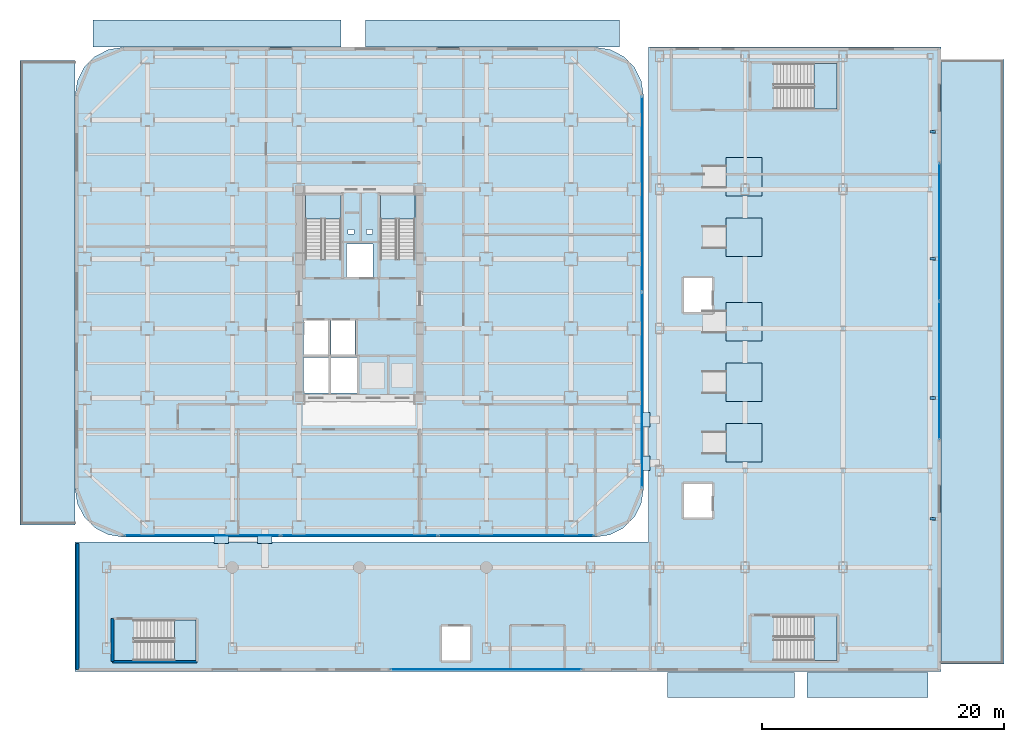
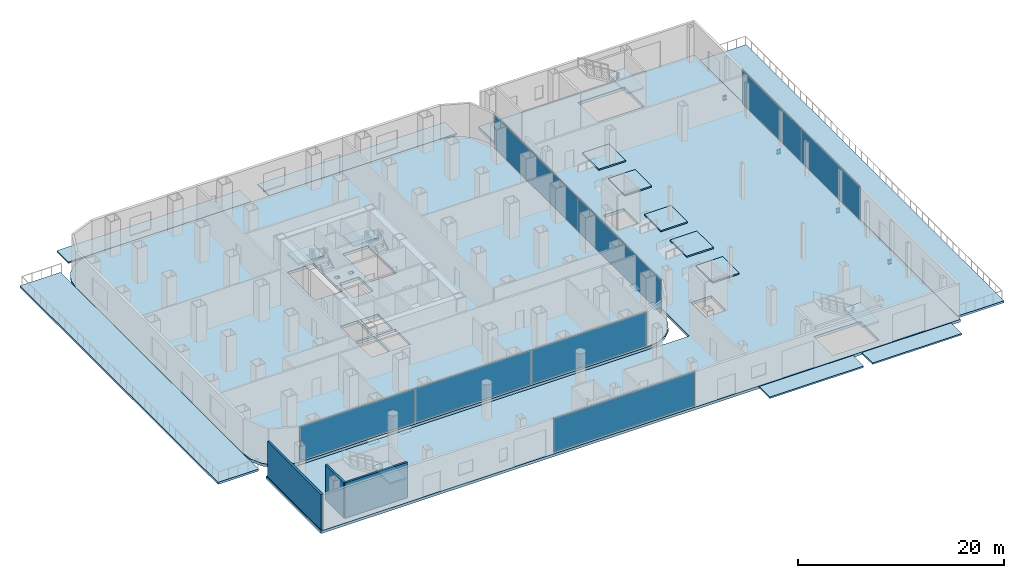
# One storey, part 19 of 31: 18 slabs, 12 plates, 4 beams, 3 walls, 9 elements without a shape of their own.
"""IFC4 building model written with IfcOpenShell, lengths in metres."""

from ifc_helpers import new_model, si_unit, direction, frame, frame_2d, origin, origin_2d, place, context, subcontext, project, spatial, polyline, rectangle, i_section, outline, extrude, source, transform, mapped, material, layer, layer_set, material_profile, profile_set, type_object, element, aggregate, save


model = new_model("IFC4")

# Units and contexts
model_context = context("Model", 3, precision=1e-05, world=origin(), true_north=direction((0.0, 1.0)))
body_context = subcontext(model_context, "Body", "Model", "MODEL_VIEW")
ifc_project = project(units=[si_unit("LENGTHUNIT", "METRE"), si_unit("AREAUNIT", "SQUARE_METRE"), si_unit("VOLUMEUNIT", "CUBIC_METRE"), si_unit("PLANEANGLEUNIT", "RADIAN"), si_unit("MASSUNIT", "GRAM", prefix="KILO")], contexts=[model_context])

# Site, building, storey
site_placement = place(None, origin())
site = spatial("IfcSite", under=ifc_project, at=site_placement, CompositionType="ELEMENT")
building_placement = place(site_placement, origin())
building = spatial("IfcBuilding", under=site, at=building_placement, Name="Kolveth Station Tower", CompositionType="ELEMENT")
storey_placement = place(building_placement, origin())
storey = spatial("IfcBuildingStorey", under=building, at=storey_placement, Name="L00", CompositionType="ELEMENT", Elevation=0.0)

# Beams
ifc_material_1 = material(Name="Steel S355", Category="steel")
ifc_material_profile = material_profile(ifc_material_1, i_section(OverallWidth=0.2099609375, OverallDepth=0.537109375, WebThickness=0.010986328125, FlangeThickness=0.017333984375, at=origin_2d()), Name="W530x101")
ifc_profile_set = profile_set([ifc_material_profile], Name="Steel S355")
beam_type = type_object("IfcBeamType", Name="Beam_B6", PredefinedType="BEAM", material=ifc_profile_set)
shared_shape_1 = source(origin(), body_context, "Body", "SweptSolid", [
    extrude(i_section(OverallWidth=0.2099609375, OverallDepth=0.537109375, WebThickness=0.010986328125, FlangeThickness=0.017333984375, at=origin_2d()), origin(), (0.0, 0.0, 1.0), 0.449951171875),
])
for number, where, z_axis, x_axis, name in (
    (1, (70.699951171875, 1.5, -0.58837890625), (1.0, 0.0, 0.0), (0.0, 1.0, 0.0), "L00 Pilaster Tie Beam SBM-L00-SPL-1"),
    (2, (70.699951171875, 11.5, -0.58837890625), (1.0, 0.0, 0.0), (0.0, 1.0, 0.0), "L00 Pilaster Tie Beam SBM-L00-SPL-2"),
    (3, (70.699951171875, 23.0, -0.58837890625), (1.0, 0.0, 0.0), (0.0, 1.0, 0.0), "L00 Pilaster Tie Beam SBM-L00-SPL-3"),
    (4, (70.699951171875, 33.5, -0.58837890625), (1.0, 0.0, 0.0), (0.0, 1.0, 0.0), "L00 Pilaster Tie Beam SBM-L00-SPL-4"),
):
    element("IfcBeam", number, at=place(storey_placement, frame(where, z_axis=z_axis, x_axis=x_axis)), inside=storey, type_object=beam_type, Name=name, PredefinedType="BEAM", context=body_context, shape_type="MappedRepresentation", body=[
        mapped(shared_shape_1, transform((0.0, 0.0, 0.0), x_axis=(1.0, 0.0, 0.0), y_axis=(0.0, 1.0, 0.0), z_axis=(0.0, 0.0, 1.0), scale=1.0)),
    ])

# Slabs
ifc_material_2 = material(Name="Granite paving", Category="masonry")
ifc_layer_1 = layer(ifc_material_2, 0.179931640625)
ifc_layer_set_1 = layer_set([ifc_layer_1], Name="Granite paving")
slab_type_1 = type_object("IfcSlabType", Name="Slab_PV-180", PredefinedType="USERDEFINED", material=ifc_layer_set_1)
slab_1_placement = place(storey_placement, frame((0.0, 0.0, -0.179931640625)))
element("IfcSlab", 5, at=slab_1_placement, inside=storey, type_object=slab_type_1, Name="L00 Granite Concourse Apron Paving 1", ObjectType="PAVING", PredefinedType="USERDEFINED", context=body_context, shape_type="SweptSolid", body=[
    extrude(outline(polyline([(1.5, 40.510009765625), (22.0, 40.510009765625), (22.0, 42.75), (1.5, 42.75), (1.5, 40.510009765625)])), origin(), (0.0, 0.0, 1.0), 0.179931640625),
])
slab_2_placement = place(storey_placement, frame((0.0, 0.0, -0.179931640625)))
element("IfcSlab", 6, at=slab_2_placement, inside=storey, type_object=slab_type_1, Name="L00 Granite Concourse Apron Paving 2", ObjectType="PAVING", PredefinedType="USERDEFINED", context=body_context, shape_type="SweptSolid", body=[
    extrude(outline(polyline([(24.0, 40.510009765625), (45.0, 40.510009765625), (45.0, 42.75), (24.0, 42.75), (24.0, 40.510009765625)])), origin(), (0.0, 0.0, 1.0), 0.179931640625),
])
slab_3_placement = place(storey_placement, frame((0.0, 0.0, -0.179931640625)))
element("IfcSlab", 7, at=slab_3_placement, inside=storey, type_object=slab_type_1, Name="L00 Granite Concourse Apron Paving 3", ObjectType="PAVING", PredefinedType="USERDEFINED", context=body_context, shape_type="SweptSolid", body=[
    extrude(outline(polyline([(49.0, -13.25), (59.5, -13.25), (59.5, -11.179931640625), (49.0, -11.179931640625), (49.0, -13.25)])), origin(), (0.0, 0.0, 1.0), 0.179931640625),
])
slab_4_placement = place(storey_placement, frame((0.0, 0.0, -0.179931640625)))
element("IfcSlab", 8, at=slab_4_placement, inside=storey, type_object=slab_type_1, Name="L00 Granite Concourse Apron Paving 4", ObjectType="PAVING", PredefinedType="USERDEFINED", context=body_context, shape_type="SweptSolid", body=[
    extrude(outline(polyline([(60.5, -13.25), (70.5, -13.25), (70.5, -11.179931640625), (60.5, -11.179931640625), (60.5, -13.25)])), origin(), (0.0, 0.0, 1.0), 0.179931640625),
])
ifc_material_3 = material(Name="Concrete C50/60", Category="concrete")
ifc_layer_2 = layer(ifc_material_3, 0.320068359375)
ifc_layer_set_2 = layer_set([ifc_layer_2], Name="Concrete C50/60")
slab_type_2 = type_object("IfcSlabType", Name="Slab_SF-320", PredefinedType="FLOOR", material=ifc_layer_set_2)
slab_5_placement = place(storey_placement, frame((0.0, 0.0, -0.320068359375)))
element("IfcSlab", 9, at=slab_5_placement, inside=storey, type_object=slab_type_2, Name="L00 Tower Structural Floor Slab", PredefinedType="FLOOR", context=body_context, shape_type="SweptSolid", body=[
    extrude(outline(polyline([(43.0, 0.0), (44.236083984375, 0.19580078125), (45.35107421875, 0.763916015625), (46.236083984375, 1.64892578125), (46.80419921875, 2.763916015625), (47.0, 4.0), (47.0, 36.5), (46.80419921875, 37.736083984375), (46.236083984375, 38.85107421875), (45.35107421875, 39.736083984375), (44.236083984375, 40.30419921875), (43.0, 40.5), (4.0, 40.5), (2.763916015625, 40.30419921875), (1.64892578125, 39.736083984375), (0.763916015625, 38.85107421875), (0.19580078125, 37.736083984375), (0.0, 36.5), (0.0, 4.0), (0.19580078125, 2.763916015625), (0.763916015625, 1.64892578125), (1.64892578125, 0.763916015625), (2.763916015625, 0.19580078125), (4.0, 0.0), (43.0, 0.0)]), holes=[polyline([(19.0400390625, 22.985107421875), (22.0, 22.985107421875), (22.0, 28.39990234375), (19.0400390625, 28.39990234375), (19.0400390625, 22.985107421875)]), polyline([(25.239990234375, 22.985107421875), (28.10009765625, 22.985107421875), (28.10009765625, 28.39990234375), (25.239990234375, 28.39990234375), (25.239990234375, 22.985107421875)]), polyline([(18.89990234375, 15.10009765625), (20.89990234375, 15.10009765625), (20.89990234375, 17.89990234375), (18.89990234375, 17.89990234375), (18.89990234375, 15.10009765625)]), polyline([(21.14990234375, 15.10009765625), (23.14990234375, 15.10009765625), (23.14990234375, 17.89990234375), (21.14990234375, 17.89990234375), (21.14990234375, 15.10009765625)]), polyline([(22.449951171875, 21.5), (24.64990234375, 21.5), (24.64990234375, 24.25), (22.449951171875, 24.25), (22.449951171875, 21.5)]), polyline([(18.89990234375, 11.89990234375), (20.949951171875, 11.89990234375), (20.949951171875, 14.85009765625), (18.89990234375, 14.85009765625), (18.89990234375, 11.89990234375)]), polyline([(21.14990234375, 11.89990234375), (23.300048828125, 11.89990234375), (23.300048828125, 14.85009765625), (21.14990234375, 14.85009765625), (21.14990234375, 11.89990234375)]), polyline([(22.550048828125, 25.050048828125), (23.050048828125, 25.050048828125), (23.050048828125, 25.449951171875), (22.550048828125, 25.449951171875), (22.550048828125, 25.050048828125)]), polyline([(24.10009765625, 25.050048828125), (24.60009765625, 25.050048828125), (24.60009765625, 25.449951171875), (24.10009765625, 25.449951171875), (24.10009765625, 25.050048828125)])]), origin(), (0.0, 0.0, 1.0), 0.320068359375),
])
slab_6_placement = place(storey_placement, frame((0.0, 0.0, -0.320068359375)))
element("IfcSlab", 10, at=slab_6_placement, inside=storey, type_object=slab_type_2, Name="L00 Intermodal Station Floor Slab", PredefinedType="FLOOR", context=body_context, shape_type="SweptSolid", body=[
    extrude(outline(polyline([(0.0, -11.10009765625), (71.60009765625, -11.10009765625), (71.60009765625, 40.5), (47.39990234375, 40.5), (47.39990234375, -0.39990234375), (0.0, -0.39990234375), (0.0, -11.10009765625)]), holes=[polyline([(57.784912109375, 35.39990234375), (63.0, 35.39990234375), (63.0, 39.159912109375), (57.784912109375, 39.159912109375), (57.784912109375, 35.39990234375)]), polyline([(57.784912109375, -10.199951171875), (63.0, -10.199951171875), (63.0, -6.5400390625), (57.784912109375, -6.5400390625), (57.784912109375, -10.199951171875)]), polyline([(4.885009765625, -10.199951171875), (10.0, -10.199951171875), (10.0, -6.840087890625), (4.885009765625, -6.840087890625), (4.885009765625, -10.199951171875)]), polyline([(50.35009765625, 1.60009765625), (52.64990234375, 1.60009765625), (52.64990234375, 4.39990234375), (50.35009765625, 4.39990234375), (50.35009765625, 1.60009765625)]), polyline([(50.35009765625, 18.60009765625), (52.64990234375, 18.60009765625), (52.64990234375, 21.39990234375), (50.35009765625, 21.39990234375), (50.35009765625, 18.60009765625)]), polyline([(30.35009765625, -10.199951171875), (32.64990234375, -10.199951171875), (32.64990234375, -7.39990234375), (30.35009765625, -7.39990234375), (30.35009765625, -10.199951171875)])]), origin(), (0.0, 0.0, 1.0), 0.320068359375),
])

# Stair, slab
ifc_material_4 = material(Name="Concrete C40/50", Category="concrete")
stair_type_1 = type_object("IfcStairType", Name="Stair_ST2", PredefinedType="HALF_TURN_STAIR", material=ifc_material_4)
stair_1_placement = place(storey_placement, origin())
stair_1 = element("IfcStair", 11, at=stair_1_placement, inside=storey, type_object=stair_type_1, Name="L00 Tower Exit Stair ST2", PredefinedType="HALF_TURN_STAIR")
ifc_layer_3 = layer(ifc_material_4, 0.18994140625)
ifc_layer_set_3 = layer_set([ifc_layer_3], Name="Concrete C40/50")
slab_type_3 = type_object("IfcSlabType", Name="Slab_SL-190", PredefinedType="LANDING", material=ifc_layer_set_3)
slab_7_placement = place(storey_placement, frame((0.0, 0.0, 2.050048828125)))
slab_7 = element("IfcSlab", 12, at=slab_7_placement, type_object=slab_type_3, Name="ST2 landing 1", PredefinedType="LANDING", context=body_context, shape_type="SweptSolid", body=[
    extrude(outline(polyline([(28.10009765625, 26.31005859375), (28.10009765625, 28.39990234375), (25.239990234375, 28.39990234375), (25.239990234375, 26.31005859375), (28.10009765625, 26.31005859375)])), origin(), (0.0, 0.0, 1.0), 0.199951171875),
])
aggregate(stair_1, [slab_7])

stair_type_2 = type_object("IfcStairType", Name="Stair_ST5", PredefinedType="HALF_TURN_STAIR", material=ifc_material_4)
stair_2_placement = place(storey_placement, origin())
stair_2 = element("IfcStair", 13, at=stair_2_placement, inside=storey, type_object=stair_type_2, Name="L00 Station West Concourse Stair ST5", PredefinedType="HALF_TURN_STAIR")
slab_8_placement = place(storey_placement, frame((0.0, 0.0, 2.050048828125)))
slab_8 = element("IfcSlab", 14, at=slab_8_placement, type_object=slab_type_3, Name="ST5 landing 1", PredefinedType="LANDING", context=body_context, shape_type="SweptSolid", body=[
    extrude(outline(polyline([(8.2099609375, -10.199951171875), (10.0, -10.199951171875), (10.0, -6.840087890625), (8.2099609375, -6.840087890625), (8.2099609375, -10.199951171875)])), origin(), (0.0, 0.0, 1.0), 0.199951171875),
])
aggregate(stair_2, [slab_8])

stair_type_3 = type_object("IfcStairType", Name="Stair_ST1", PredefinedType="HALF_TURN_STAIR", material=ifc_material_4)
stair_3_placement = place(storey_placement, origin())
stair_3 = element("IfcStair", 15, at=stair_3_placement, inside=storey, type_object=stair_type_3, Name="L00 Tower Exit Stair ST1", PredefinedType="HALF_TURN_STAIR")
ifc_layer_4 = layer(ifc_material_4, 0.205078125)
ifc_layer_set_4 = layer_set([ifc_layer_4], Name="Concrete C40/50")
slab_type_4 = type_object("IfcSlabType", Name="Slab_SL-205", PredefinedType="LANDING", material=ifc_layer_set_4)
slab_9_placement = place(storey_placement, frame((0.0, 0.0, 2.050048828125)))
slab_9 = element("IfcSlab", 16, at=slab_9_placement, type_object=slab_type_4, Name="ST1 landing 1", PredefinedType="LANDING", context=body_context, shape_type="SweptSolid", body=[
    extrude(outline(polyline([(22.0, 26.31005859375), (22.0, 28.39990234375), (19.0400390625, 28.39990234375), (19.0400390625, 26.31005859375), (22.0, 26.31005859375)])), origin(), (0.0, 0.0, 1.0), 0.199951171875),
])
aggregate(stair_3, [slab_9])

stair_type_4 = type_object("IfcStairType", Name="Stair_ST3", PredefinedType="HALF_TURN_STAIR", material=ifc_material_4)
stair_4_placement = place(storey_placement, origin())
stair_4 = element("IfcStair", 17, at=stair_4_placement, inside=storey, type_object=stair_type_4, Name="L00 Station North Exit Stair ST3", PredefinedType="HALF_TURN_STAIR")
slab_10_placement = place(storey_placement, frame((0.0, 0.0, 2.050048828125)))
slab_10 = element("IfcSlab", 18, at=slab_10_placement, type_object=slab_type_4, Name="ST3 landing 1", PredefinedType="LANDING", context=body_context, shape_type="SweptSolid", body=[
    extrude(outline(polyline([(61.110107421875, 35.39990234375), (63.0, 35.39990234375), (63.0, 39.159912109375), (61.110107421875, 39.159912109375), (61.110107421875, 35.39990234375)])), origin(), (0.0, 0.0, 1.0), 0.199951171875),
])
aggregate(stair_4, [slab_10])

stair_type_5 = type_object("IfcStairType", Name="Stair_ST4", PredefinedType="HALF_TURN_STAIR", material=ifc_material_4)
stair_5_placement = place(storey_placement, origin())
stair_5 = element("IfcStair", 19, at=stair_5_placement, inside=storey, type_object=stair_type_5, Name="L00 Station South-East Exit Stair ST4", PredefinedType="HALF_TURN_STAIR")
slab_11_placement = place(storey_placement, frame((0.0, 0.0, 2.050048828125)))
slab_11 = element("IfcSlab", 20, at=slab_11_placement, type_object=slab_type_4, Name="ST4 landing 1", PredefinedType="LANDING", context=body_context, shape_type="SweptSolid", body=[
    extrude(outline(polyline([(61.110107421875, -10.199951171875), (63.0, -10.199951171875), (63.0, -6.5400390625), (61.110107421875, -6.5400390625), (61.110107421875, -10.199951171875)])), origin(), (0.0, 0.0, 1.0), 0.199951171875),
])
aggregate(stair_5, [slab_11])

# Slabs
ifc_layer_5 = layer(ifc_material_4, 0.239990234375)
ifc_layer_set_5 = layer_set([ifc_layer_5], Name="Concrete C40/50")
slab_type_5 = type_object("IfcSlabType", Name="Slab_ST-240", PredefinedType="FLOOR", material=ifc_layer_set_5)
slab_12_placement = place(storey_placement, frame((0.0, 0.0, -0.239990234375)))
element("IfcSlab", 21, at=slab_12_placement, inside=storey, type_object=slab_type_5, Name="L00 West Tower Drop-Off Forecourt Terrace", PredefinedType="FLOOR", context=body_context, shape_type="SweptSolid", body=[
    extrude(outline(polyline([(-4.550048828125, 1.0), (-0.010009765625, 1.0), (-0.010009765625, 39.39990234375), (-4.550048828125, 39.39990234375), (-4.550048828125, 1.0)])), origin(), (0.0, 0.0, 1.0), 0.239990234375),
])
slab_13_placement = place(storey_placement, frame((0.0, 0.0, -0.239990234375)))
element("IfcSlab", 22, at=slab_13_placement, inside=storey, type_object=slab_type_5, Name="L00 East Station Boulevard Forecourt Terrace", PredefinedType="FLOOR", context=body_context, shape_type="SweptSolid", body=[
    extrude(outline(polyline([(71.610107421875, -10.5), (76.800048828125, -10.5), (76.800048828125, 39.5), (71.610107421875, 39.5), (71.610107421875, -10.5)])), origin(), (0.0, 0.0, 1.0), 0.239990234375),
])
slab_14_placement = place(storey_placement, origin())
element("IfcSlab", 23, at=slab_14_placement, inside=storey, type_object=slab_type_5, Name="L00 Station Ticketing Dais Platform 1", PredefinedType="FLOOR", context=body_context, shape_type="SweptSolid", body=[
    extrude(outline(polyline([(53.800048828125, 6.199951171875), (56.800048828125, 6.199951171875), (56.800048828125, 9.39990234375), (53.800048828125, 9.39990234375), (53.800048828125, 6.199951171875)])), origin(), (0.0, 0.0, 1.0), 0.159912109375),
])
slab_15_placement = place(storey_placement, origin())
element("IfcSlab", 24, at=slab_15_placement, inside=storey, type_object=slab_type_5, Name="L00 Station Ticketing Dais Platform 2", PredefinedType="FLOOR", context=body_context, shape_type="SweptSolid", body=[
    extrude(outline(polyline([(53.800048828125, 11.199951171875), (56.800048828125, 11.199951171875), (56.800048828125, 14.39990234375), (53.800048828125, 14.39990234375), (53.800048828125, 11.199951171875)])), origin(), (0.0, 0.0, 1.0), 0.159912109375),
])
slab_16_placement = place(storey_placement, origin())
element("IfcSlab", 25, at=slab_16_placement, inside=storey, type_object=slab_type_5, Name="L00 Station Ticketing Dais Platform 3", PredefinedType="FLOOR", context=body_context, shape_type="SweptSolid", body=[
    extrude(outline(polyline([(53.800048828125, 16.199951171875), (56.800048828125, 16.199951171875), (56.800048828125, 19.39990234375), (53.800048828125, 19.39990234375), (53.800048828125, 16.199951171875)])), origin(), (0.0, 0.0, 1.0), 0.159912109375),
])
slab_17_placement = place(storey_placement, origin())
element("IfcSlab", 26, at=slab_17_placement, inside=storey, type_object=slab_type_5, Name="L00 Station Ticketing Dais Platform 4", PredefinedType="FLOOR", context=body_context, shape_type="SweptSolid", body=[
    extrude(outline(polyline([(53.800048828125, 23.199951171875), (56.800048828125, 23.199951171875), (56.800048828125, 26.39990234375), (53.800048828125, 26.39990234375), (53.800048828125, 23.199951171875)])), origin(), (0.0, 0.0, 1.0), 0.159912109375),
])
slab_18_placement = place(storey_placement, origin())
element("IfcSlab", 27, at=slab_18_placement, inside=storey, type_object=slab_type_5, Name="L00 Station Ticketing Dais Platform 5", PredefinedType="FLOOR", context=body_context, shape_type="SweptSolid", body=[
    extrude(outline(polyline([(53.800048828125, 28.199951171875), (56.800048828125, 28.199951171875), (56.800048828125, 31.39990234375), (53.800048828125, 31.39990234375), (53.800048828125, 28.199951171875)])), origin(), (0.0, 0.0, 1.0), 0.159912109375),
])

# Plates
ifc_layer_6 = layer(ifc_material_1, 0.02001953125)
ifc_layer_set_6 = layer_set([ifc_layer_6], Name="Steel S355")
plate_type_1 = type_object("IfcPlateType", Name="Plate_JP1", PredefinedType="USERDEFINED", material=ifc_layer_set_6)
shared_shape_2 = source(origin(), body_context, "Body", "SweptSolid", [
    extrude(rectangle(XDim=1.199951171875, YDim=0.64990234375, at=origin_2d()), origin(), (0.0, 0.0, 1.0), 0.02001953125),
])
for number, where, z_axis, x_axis, name in (
    (28, (12.10009765625, -0.199951171875, -0.324951171875), (0.0, 0.0, 1.0), (1.0, 0.0, 0.0), "L00 Seismic Joint Flush Cover Plate 1.1"),
    (29, (15.699951171875, -0.199951171875, -0.324951171875), (0.0, 0.0, 1.0), (1.0, 0.0, 0.0), "L00 Seismic Joint Flush Cover Plate 1.2"),
    (30, (47.199951171875, 6.10009765625, -0.324951171875), (0.0, 0.0, 1.0), (0.0, 1.0, 0.0), "L00 Seismic Joint Flush Cover Plate 2.1"),
    (31, (47.199951171875, 9.699951171875, -0.324951171875), (0.0, 0.0, 1.0), (0.0, 1.0, 0.0), "L00 Seismic Joint Flush Cover Plate 2.2"),
):
    element("IfcPlate", number, at=place(storey_placement, frame(where, z_axis=z_axis, x_axis=x_axis)), inside=storey, type_object=plate_type_1, Name=name, ObjectType="BASE_PLATE", PredefinedType="USERDEFINED", context=body_context, shape_type="MappedRepresentation", body=[
        mapped(shared_shape_2, transform((0.0, 0.0, 0.0), x_axis=(1.0, 0.0, 0.0), y_axis=(0.0, 1.0, 0.0), z_axis=(0.0, 0.0, 1.0), scale=1.0)),
    ])

# Curtain wall, plates
ifc_material_5 = material(Name="Black anodized aluminium 6063-T6 and clear station glass", Category="aluminium")
ifc_layer_7 = layer(ifc_material_5, 0.239990234375)
ifc_layer_set_7 = layer_set([ifc_layer_7], Name="Black anodized aluminium 6063-T6 and clear station glass")
curtain_wall_type = type_object("IfcCurtainWallType", Name="CurtainWall_CW-ST", PredefinedType="NOTDEFINED", material=ifc_layer_set_7)
curtain_wall_1_placement = place(storey_placement, origin())
curtain_wall_1 = element("IfcCurtainWall", 32, at=curtain_wall_1_placement, inside=storey, type_object=curtain_wall_type, Name="L00 Tower Podium South Storefront Curtain Wall", PredefinedType="NOTDEFINED")
ifc_material_6 = material(Name="Architectural low-E dark glass", Category="glass")
ifc_layer_8 = layer(ifc_material_6, 0.031982421875)
ifc_layer_set_8 = layer_set([ifc_layer_8], Name="Architectural low-E dark glass")
plate_type_2 = type_object("IfcPlateType", Name="Panel_GL-ST", PredefinedType="CURTAIN_PANEL", material=ifc_layer_set_8)
shared_shape_3 = source(origin(), body_context, "Body", "SweptSolid", [
    extrude(rectangle(XDim=12.864013671875, YDim=0.031982421875, at=origin_2d()), origin(), (0.0, 0.0, 1.0), 4.00390625),
])
plate_1_placement = place(storey_placement, frame((10.52490234375, 0.139892578125, 0.088134765625), z_axis=(0.0, 0.0, 1.0), x_axis=(1.0, 0.0, 0.0)))
plate_1 = element("IfcPlate", 33, at=plate_1_placement, type_object=plate_type_2, Name="CW-ST panel 1.1", PredefinedType="CURTAIN_PANEL", context=body_context, shape_type="MappedRepresentation", body=[
    mapped(shared_shape_3, transform((0.0, 0.0, 0.0), x_axis=(1.0, 0.0, 0.0), y_axis=(0.0, 1.0, 0.0), z_axis=(0.0, 0.0, 1.0), scale=1.0)),
])
plate_2_placement = place(storey_placement, frame((36.47509765625, 0.139892578125, 0.088134765625), z_axis=(0.0, 0.0, 1.0), x_axis=(1.0, 0.0, 0.0)))
plate_2 = element("IfcPlate", 34, at=plate_2_placement, type_object=plate_type_2, Name="CW-ST panel 3.1", PredefinedType="CURTAIN_PANEL", context=body_context, shape_type="MappedRepresentation", body=[
    mapped(shared_shape_3, transform((0.0, 0.0, 0.0), x_axis=(1.0, 0.0, 0.0), y_axis=(0.0, 1.0, 0.0), z_axis=(0.0, 0.0, 1.0), scale=1.0)),
])
shared_shape_4 = source(origin(), body_context, "Body", "SweptSolid", [
    extrude(rectangle(XDim=12.9140625, YDim=0.031982421875, at=origin_2d()), origin(), (0.0, 0.0, 1.0), 4.00390625),
])
plate_3_placement = place(storey_placement, frame((23.5, 0.139892578125, 0.088134765625), z_axis=(0.0, 0.0, 1.0), x_axis=(1.0, 0.0, 0.0)))
plate_3 = element("IfcPlate", 35, at=plate_3_placement, type_object=plate_type_2, Name="CW-ST panel 2.1", PredefinedType="CURTAIN_PANEL", context=body_context, shape_type="MappedRepresentation", body=[
    mapped(shared_shape_4, transform((0.0, 0.0, 0.0), x_axis=(1.0, 0.0, 0.0), y_axis=(0.0, 1.0, 0.0), z_axis=(0.0, 0.0, 1.0), scale=1.0)),
])
aggregate(curtain_wall_1, [plate_1, plate_3, plate_2])

curtain_wall_2_placement = place(storey_placement, origin())
curtain_wall_2 = element("IfcCurtainWall", 36, at=curtain_wall_2_placement, inside=storey, type_object=curtain_wall_type, Name="L00 Tower Podium East Storefront Curtain Wall", PredefinedType="NOTDEFINED")
shared_shape_5 = source(origin(), body_context, "Body", "SweptSolid", [
    extrude(rectangle(XDim=16.114013671875, YDim=0.031982421875, at=origin_2d()), origin(), (0.0, 0.0, 1.0), 4.00390625),
])
plate_4_placement = place(storey_placement, frame((46.860107421875, 12.14990234375, 0.088134765625), z_axis=(0.0, 0.0, 1.0), x_axis=(0.0, 1.0, 0.0)))
plate_4 = element("IfcPlate", 37, at=plate_4_placement, type_object=plate_type_2, Name="CW-ST panel 1.1", PredefinedType="CURTAIN_PANEL", context=body_context, shape_type="MappedRepresentation", body=[
    mapped(shared_shape_5, transform((0.0, 0.0, 0.0), x_axis=(1.0, 0.0, 0.0), y_axis=(0.0, 1.0, 0.0), z_axis=(0.0, 0.0, 1.0), scale=1.0)),
])
plate_5_placement = place(storey_placement, frame((46.860107421875, 28.35009765625, 0.088134765625), z_axis=(0.0, 0.0, 1.0), x_axis=(0.0, 1.0, 0.0)))
plate_5 = element("IfcPlate", 38, at=plate_5_placement, type_object=plate_type_2, Name="CW-ST panel 2.1", PredefinedType="CURTAIN_PANEL", context=body_context, shape_type="MappedRepresentation", body=[
    mapped(shared_shape_5, transform((0.0, 0.0, 0.0), x_axis=(1.0, 0.0, 0.0), y_axis=(0.0, 1.0, 0.0), z_axis=(0.0, 0.0, 1.0), scale=1.0)),
])
aggregate(curtain_wall_2, [plate_4, plate_5])

# Curtain wall, plate
curtain_wall_3_placement = place(storey_placement, origin())
curtain_wall_3 = element("IfcCurtainWall", 39, at=curtain_wall_3_placement, inside=storey, type_object=curtain_wall_type, Name="L00 Station South Concourse Curtain Wall", PredefinedType="NOTDEFINED")
shared_shape_6 = source(origin(), body_context, "Body", "SweptSolid", [
    extrude(rectangle(XDim=15.81396484375, YDim=0.031982421875, at=origin_2d()), origin(), (0.0, 0.0, 1.0), 4.00390625),
])
plate_6_placement = place(storey_placement, frame((34.0, -10.949951171875, 0.088134765625), z_axis=(0.0, 0.0, 1.0), x_axis=(1.0, 0.0, 0.0)))
plate_6 = element("IfcPlate", 40, at=plate_6_placement, type_object=plate_type_2, Name="CW-ST panel 1.1", PredefinedType="CURTAIN_PANEL", context=body_context, shape_type="MappedRepresentation", body=[
    mapped(shared_shape_6, transform((0.0, 0.0, 0.0), x_axis=(1.0, 0.0, 0.0), y_axis=(0.0, 1.0, 0.0), z_axis=(0.0, 0.0, 1.0), scale=1.0)),
])
aggregate(curtain_wall_3, [plate_6])

# Curtain wall, plates
curtain_wall_4_placement = place(storey_placement, origin())
curtain_wall_4 = element("IfcCurtainWall", 41, at=curtain_wall_4_placement, inside=storey, type_object=curtain_wall_type, Name="L00 Station East Main Hall Curtain Wall", PredefinedType="NOTDEFINED")
shared_shape_7 = source(origin(), body_context, "Body", "SweptSolid", [
    extrude(rectangle(XDim=11.364013671875, YDim=0.031982421875, at=origin_2d()), origin(), (0.0, 0.0, 1.0), 4.00390625),
])
plate_7_placement = place(storey_placement, frame((71.449951171875, 13.77490234375, 0.088134765625), z_axis=(0.0, 0.0, 1.0), x_axis=(0.0, 1.0, 0.0)))
plate_7 = element("IfcPlate", 42, at=plate_7_placement, type_object=plate_type_2, Name="CW-ST panel 1.1", PredefinedType="CURTAIN_PANEL", context=body_context, shape_type="MappedRepresentation", body=[
    mapped(shared_shape_7, transform((0.0, 0.0, 0.0), x_axis=(1.0, 0.0, 0.0), y_axis=(0.0, 1.0, 0.0), z_axis=(0.0, 0.0, 1.0), scale=1.0)),
])
plate_8_placement = place(storey_placement, frame((71.449951171875, 25.22509765625, 0.088134765625), z_axis=(0.0, 0.0, 1.0), x_axis=(0.0, 1.0, 0.0)))
plate_8 = element("IfcPlate", 43, at=plate_8_placement, type_object=plate_type_2, Name="CW-ST panel 2.1", PredefinedType="CURTAIN_PANEL", context=body_context, shape_type="MappedRepresentation", body=[
    mapped(shared_shape_7, transform((0.0, 0.0, 0.0), x_axis=(1.0, 0.0, 0.0), y_axis=(0.0, 1.0, 0.0), z_axis=(0.0, 0.0, 1.0), scale=1.0)),
])
aggregate(curtain_wall_4, [plate_7, plate_8])

# Walls
ifc_material_7 = material(Name="Precast concrete C40/50", Category="concrete")
ifc_layer_9 = layer(ifc_material_7, 0.239990234375)
ifc_layer_set_9 = layer_set([ifc_layer_9], Name="Precast concrete C40/50")
wall_type_1 = type_object("IfcWallType", Name="Wall_EW-240", PredefinedType="SOLIDWALL", material=ifc_layer_set_9)
wall_1_placement = place(storey_placement, frame((0.199951171875, -10.949951171875, 0.0), z_axis=(0.0, 0.0, 1.0), x_axis=(0.0, 1.0, 0.0)))
element("IfcWall", 44, at=wall_1_placement, inside=storey, type_object=wall_type_1, Name="L00 Station Exterior Wall W1", PredefinedType="SOLIDWALL", context=body_context, shape_type="SweptSolid", body=[
    extrude(rectangle(XDim=10.409912109375, YDim=0.239990234375, at=frame_2d((5.205078125, 0.0))), origin(), (0.0, 0.0, 1.0), 4.179931640625),
])
ifc_layer_10 = layer(ifc_material_4, 0.219970703125)
ifc_layer_set_10 = layer_set([ifc_layer_10], Name="Concrete C40/50")
wall_type_2 = type_object("IfcWallType", Name="Wall_IW-220", PredefinedType="SOLIDWALL", material=ifc_layer_set_10)
wall_2_placement = place(storey_placement, frame((3.10009765625, -10.300048828125, 0.0), z_axis=(0.0, 0.0, 1.0), x_axis=(1.0, 0.0, 0.0)))
element("IfcWall", 45, at=wall_2_placement, inside=storey, type_object=wall_type_2, Name="L00 Stair Shaft Wall WL-L00-ST5-S", PredefinedType="SOLIDWALL", context=body_context, shape_type="SweptSolid", body=[
    extrude(rectangle(XDim=7.0, YDim=0.219970703125, at=frame_2d((3.5, 0.0))), origin(), (0.0, 0.0, 1.0), 4.179931640625),
])
wall_3_placement = place(storey_placement, frame((3.10009765625, -10.300048828125, 0.0), z_axis=(0.0, 0.0, 1.0), x_axis=(0.0, 1.0, 0.0)))
element("IfcWall", 46, at=wall_3_placement, inside=storey, type_object=wall_type_2, Name="L00 Stair Shaft Wall WL-L00-ST5-W", PredefinedType="SOLIDWALL", context=body_context, shape_type="SweptSolid", body=[
    extrude(rectangle(XDim=3.56005859375, YDim=0.219970703125, at=frame_2d((1.780029296875, 0.0))), origin(), (0.0, 0.0, 1.0), 4.179931640625),
])

save(model, "model.ifc")
